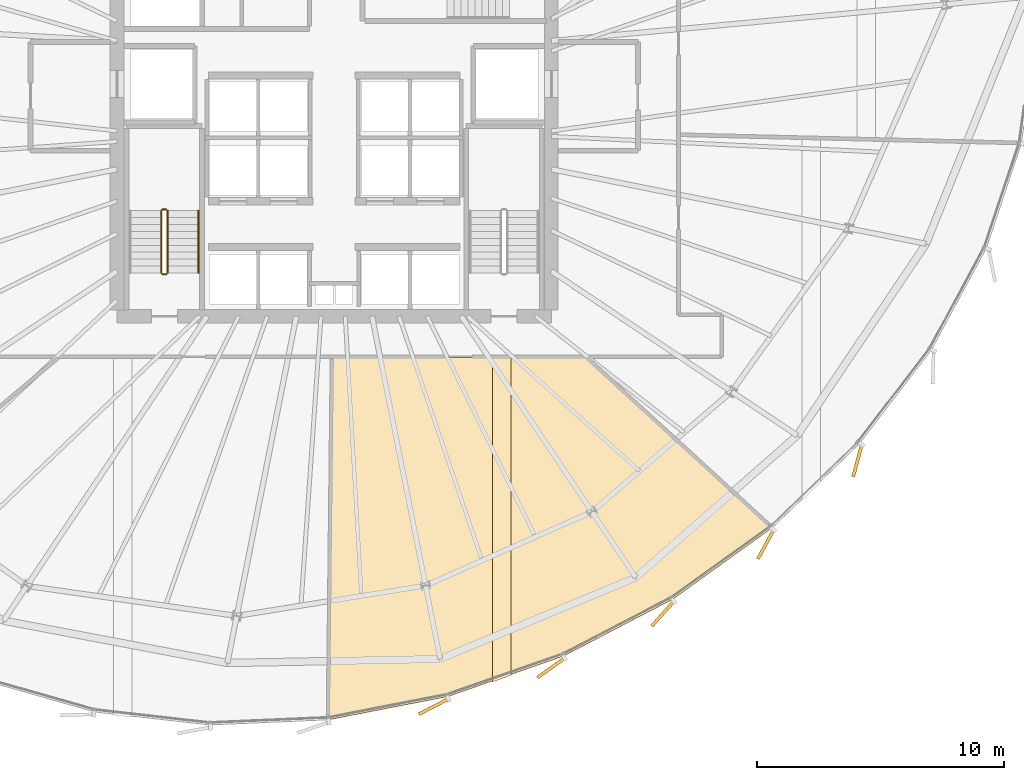
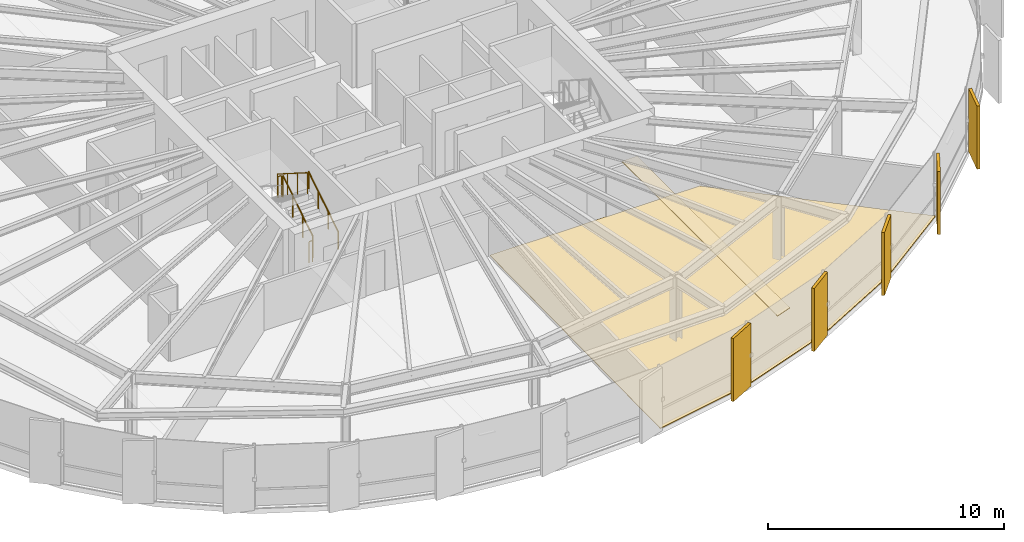
# One storey, part 32 of 34: 7 coverings, 5 railings.
"""IFC4 building model written with IfcOpenShell, lengths in metres."""

from ifc_helpers import new_model, si_unit, direction, frame, origin, origin_2d, place, context, subcontext, project, spatial, polyline, rectangle, circle, outline, extrude, source, transform, mapped, material, layer, layer_set, type_object, element, save


model = new_model("IFC4")

# Units and contexts
model_context = context("Model", 3, precision=1e-05, world=origin(), true_north=direction((0.0, 1.0)))
body_context = subcontext(model_context, "Body", "Model", "MODEL_VIEW")
ifc_project = project(units=[si_unit("LENGTHUNIT", "METRE"), si_unit("AREAUNIT", "SQUARE_METRE"), si_unit("VOLUMEUNIT", "CUBIC_METRE"), si_unit("PLANEANGLEUNIT", "RADIAN"), si_unit("MASSUNIT", "GRAM", prefix="KILO"), si_unit("THERMODYNAMICTEMPERATUREUNIT", "KELVIN")], contexts=[model_context])

# Site, building, storey
site_placement = place(None, origin())
site = spatial("IfcSite", under=ifc_project, at=site_placement, CompositionType="ELEMENT")
building_placement = place(site_placement, origin())
building = spatial("IfcBuilding", under=site, at=building_placement, Name="Kethvar Cultural Tower", CompositionType="ELEMENT")
storey_placement = place(building_placement, frame((0.0, 0.0, 128.800048828125)))
storey = spatial("IfcBuildingStorey", under=building, at=storey_placement, Name="L32", CompositionType="ELEMENT", Elevation=128.800048828125)

# Coverings
ifc_material_1 = material(Name="Acoustic Mineral Fibre Ceiling")
ifc_layer_1 = layer(ifc_material_1, 0.0400390625, Name="Acoustic Mineral Fibre Ceiling")
ifc_layer_set_1 = layer_set([ifc_layer_1], Name="Acoustic Mineral Fibre Ceiling (40 mm)")
covering_type_1 = type_object("IfcCoveringType", Name="CV-ACOUSTIC-CEIL", PredefinedType="CEILING", material=ifc_layer_set_1)
covering_1_placement = place(storey_placement, frame((0.0, 0.0, 2.56005859375)))
element("IfcCovering", 1, at=covering_1_placement, inside=storey, type_object=covering_type_1, Name="L32 Room 02 Acoustic Ceiling Panel", PredefinedType="CEILING", context=body_context, shape_type="SweptSolid", body=[
    extrude(outline(polyline([(53.2041015625, 5.276611328125), (53.2041015625, 18.469970703125), (53.9541015625, 18.469970703125), (53.9541015625, 5.539306640625), (53.2041015625, 5.276611328125)])), origin(), (0.0, 0.0, 1.0), 0.039794921875),
])
ifc_material_2 = material(Name="Honed Warm Limestone", Category="masonry")
ifc_layer_2 = layer(ifc_material_2, 0.030029296875, Name="Honed Warm Limestone", Category="masonry")
ifc_layer_set_2 = layer_set([ifc_layer_2], Name="Honed Warm Limestone (30 mm)")
covering_type_2 = type_object("IfcCoveringType", Name="CV-STONE-FLOOR", PredefinedType="FLOORING", material=ifc_layer_set_2)
covering_2_placement = place(storey_placement, origin())
element("IfcCovering", 2, at=covering_2_placement, inside=storey, type_object=covering_type_2, Name="L32 Room 02 Floor Finish", PredefinedType="FLOORING", context=body_context, shape_type="SweptSolid", body=[
    extrude(outline(polyline([(64.522216796875, 11.510498046875), (60.50830078125, 8.628662109375), (56.0908203125, 6.329833984375), (51.400634765625, 4.6875), (46.593017578125, 3.751953125), (46.731689453125, 18.429931640625), (56.9814453125, 18.429931640625), (64.522216796875, 11.510498046875)])), origin(), (0.0, 0.0, 1.0), 0.030029296875),
])

# Railings
ifc_material_3 = material(Name="Steel S355J2", Category="steel")
railing_type_1 = type_object("IfcRailingType", Name="RL-STAIR-GUARD", PredefinedType="BALUSTRADE", material=ifc_material_3)
railing_1_placement = place(storey_placement, frame((40.050048828125, 21.85009765625, 0.177490234375)))
element("IfcRailing", 3, at=railing_1_placement, inside=storey, type_object=railing_type_1, Name="L32 ST-01 stair guard 1", PredefinedType="BALUSTRADE", context=body_context, shape_type="SweptSolid", body=[
    extrude(circle(Radius=0.02392578125, at=origin_2d()), frame((0.0, 0.0, 1.09619140625), z_axis=(0.0, 0.84460694969, 0.535386869969), x_axis=(-1.0, 0.0, 0.0)), (0.0, 0.0, 1.0), 2.983642578125),
    extrude(circle(Radius=0.02099609375, at=origin_2d()), origin(), (0.0, 0.0, 1.0), 1.072021484375),
    extrude(circle(Radius=0.02099609375, at=origin_2d()), frame((0.0, 0.840087890625, 0.532470703125)), (0.0, 0.0, 1.0), 1.072021484375),
    extrude(circle(Radius=0.02099609375, at=origin_2d()), frame((0.0, 1.679931640625, 1.06494140625)), (0.0, 0.0, 1.0), 1.072021484375),
    extrude(circle(Radius=0.02099609375, at=origin_2d()), frame((0.0, 2.52001953125, 1.597412109375)), (0.0, 0.0, 1.0), 1.072021484375),
])
railing_2_placement = place(storey_placement, frame((40.0, 24.419921875, 1.77490234375)))
element("IfcRailing", 4, at=railing_2_placement, inside=storey, type_object=railing_type_1, Name="L32 ST-01 stair guard 2", PredefinedType="BALUSTRADE", context=body_context, shape_type="SweptSolid", body=[
    extrude(circle(Radius=0.02392578125, at=origin_2d()), frame((0.0, 0.0, 1.09619140625), z_axis=(-1.0, 0.0, 0.0), x_axis=(0.0, -1.0, 0.0)), (0.0, 0.0, 1.0), 0.159912109375),
    extrude(circle(Radius=0.02099609375, at=origin_2d()), origin(), (0.0, 0.0, 1.0), 1.072021484375),
    extrude(circle(Radius=0.02099609375, at=origin_2d()), frame((-0.159912109375, 0.0, 0.0)), (0.0, 0.0, 1.0), 1.072021484375),
])
railing_3_placement = place(storey_placement, frame((39.7900390625, 24.3701171875, 1.952392578125)))
element("IfcRailing", 5, at=railing_3_placement, inside=storey, type_object=railing_type_1, Name="L32 ST-01 stair guard 3", PredefinedType="BALUSTRADE", context=body_context, shape_type="SweptSolid", body=[
    extrude(circle(Radius=0.02392578125, at=origin_2d()), frame((0.0, 0.0, 1.09619140625), z_axis=(0.0, -0.84456994832, 0.535445237532), x_axis=(1.0, 0.0, 0.0)), (0.0, 0.0, 1.0), 2.98388671875),
    extrude(circle(Radius=0.02099609375, at=origin_2d()), origin(), (0.0, 0.0, 1.0), 1.072021484375),
    extrude(circle(Radius=0.02099609375, at=origin_2d()), frame((0.0, -0.840087890625, 0.532470703125)), (0.0, 0.0, 1.0), 1.072021484375),
    extrude(circle(Radius=0.02099609375, at=origin_2d()), frame((0.0, -1.679931640625, 1.065185546875)), (0.0, 0.0, 1.0), 1.072021484375),
    extrude(circle(Radius=0.02099609375, at=origin_2d()), frame((0.0, -2.52001953125, 1.59765625)), (0.0, 0.0, 1.0), 1.072021484375),
])
railing_4_placement = place(storey_placement, frame((40.0, 21.800048828125, 0.0)))
element("IfcRailing", 6, at=railing_4_placement, inside=storey, type_object=railing_type_1, Name="L32 ST-01 stair guard 4", PredefinedType="BALUSTRADE", context=body_context, shape_type="SweptSolid", body=[
    extrude(circle(Radius=0.02392578125, at=origin_2d()), frame((0.0, 0.0, 1.09619140625), z_axis=(-1.0, 0.0, 0.0), x_axis=(0.0, -1.0, 0.0)), (0.0, 0.0, 1.0), 0.159912109375),
    extrude(circle(Radius=0.02099609375, at=origin_2d()), origin(), (0.0, 0.0, 1.0), 1.072021484375),
    extrude(circle(Radius=0.02099609375, at=origin_2d()), frame((-0.159912109375, 0.0, 0.0)), (0.0, 0.0, 1.0), 1.072021484375),
])
railing_type_2 = type_object("IfcRailingType", Name="RL-STAIR-HANDRAIL", PredefinedType="HANDRAIL", material=ifc_material_3)
railing_5_placement = place(storey_placement, frame((41.300048828125, 21.85009765625, 0.177490234375)))
element("IfcRailing", 7, at=railing_5_placement, inside=storey, type_object=railing_type_2, Name="L32 ST-01 stair handrail 1", PredefinedType="HANDRAIL", context=body_context, shape_type="SweptSolid", body=[
    extrude(circle(Radius=0.02392578125, at=origin_2d()), frame((0.0, 0.0, 0.8759765625), z_axis=(0.0, 0.84460694969, 0.535386869969), x_axis=(-1.0, 0.0, 0.0)), (0.0, 0.0, 1.0), 2.983642578125),
    extrude(circle(Radius=0.02099609375, at=origin_2d()), origin(), (0.0, 0.0, 1.0), 0.851806640625),
    extrude(circle(Radius=0.02099609375, at=origin_2d()), frame((0.0, 0.840087890625, 0.532470703125)), (0.0, 0.0, 1.0), 0.851806640625),
    extrude(circle(Radius=0.02099609375, at=origin_2d()), frame((0.0, 1.679931640625, 1.06494140625)), (0.0, 0.0, 1.0), 0.851806640625),
    extrude(circle(Radius=0.02099609375, at=origin_2d()), frame((0.0, 2.52001953125, 1.597412109375)), (0.0, 0.0, 1.0), 0.851806640625),
])

# Coverings
ifc_material_4 = material(Name="Extruded Architectural Terracotta", Category="masonry")
ifc_layer_3 = layer(ifc_material_4, 0.135009765625, Name="Extruded Architectural Terracotta", Category="masonry")
ifc_layer_set_3 = layer_set([ifc_layer_3], Name="Extruded Architectural Terracotta (135 mm)")
covering_type_3 = type_object("IfcCoveringType", Name="Terracotta Facade Fin FIN-02", PredefinedType="CLADDING", material=ifc_layer_set_3)
shared_shape = source(origin(), body_context, "Body", "SweptSolid", [
    extrude(rectangle(XDim=1.35009765625, YDim=0.135009765625, at=origin_2d()), origin(), (0.0, 0.0, 1.0), 3.260009765625),
])
for number, where, z_axis, x_axis, name in (
    (8, (50.83251953125, 4.282958984375, 0.02001953125), (0.0, 0.0, 1.0), (-0.888617232655, -0.458649554484, 0.0), "L32 Vertical Terracotta Fin 5.3"),
    (9, (55.586181640625, 5.8486328125, 0.02001953125), (0.0, 0.0, 1.0), (-0.814216857742, -0.580560856904, 0.0), "L32 Vertical Terracotta Fin 5.4"),
    (10, (60.115478515625, 8.04345703125, 0.02001953125), (0.0, 0.0, 1.0), (-0.666532470249, -0.745475999683, 0.0), "L32 Vertical Terracotta Fin 5.5"),
    (11, (64.288330078125, 10.857421875, 0.02001953125), (0.0, 0.0, 1.0), (-0.475317124823, -0.879814543441, 0.0), "L32 Vertical Terracotta Fin 5.6"),
    (12, (68.002197265625, 14.248291015625, 0.02001953125), (0.0, 0.0, 1.0), (-0.258144638645, -0.966106280664, 0.0), "L32 Vertical Terracotta Fin 6.1"),
):
    element("IfcCovering", number, at=place(storey_placement, frame(where, z_axis=z_axis, x_axis=x_axis)), inside=storey, type_object=covering_type_3, Name=name, PredefinedType="CLADDING", context=body_context, shape_type="MappedRepresentation", body=[
        mapped(shared_shape, transform((0.0, 0.0, 0.0), scale=1.0)),
    ])

save(model, "model.ifc")
